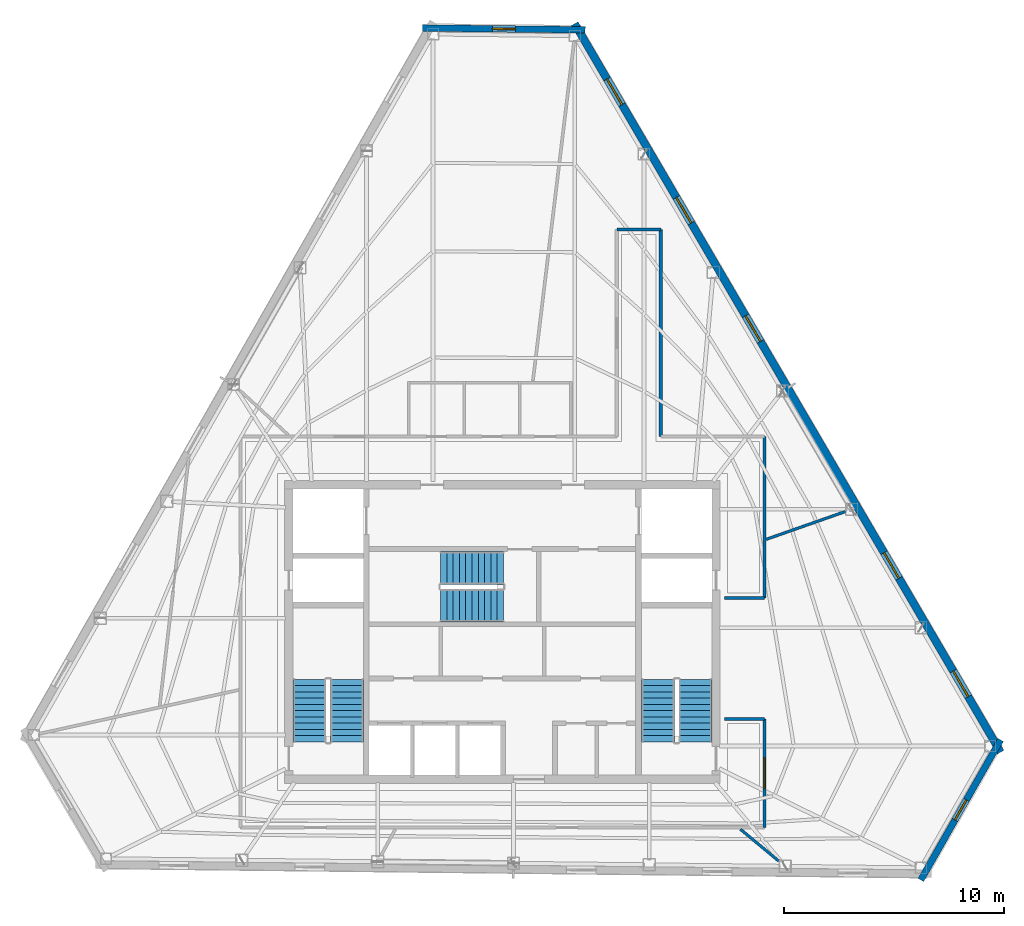
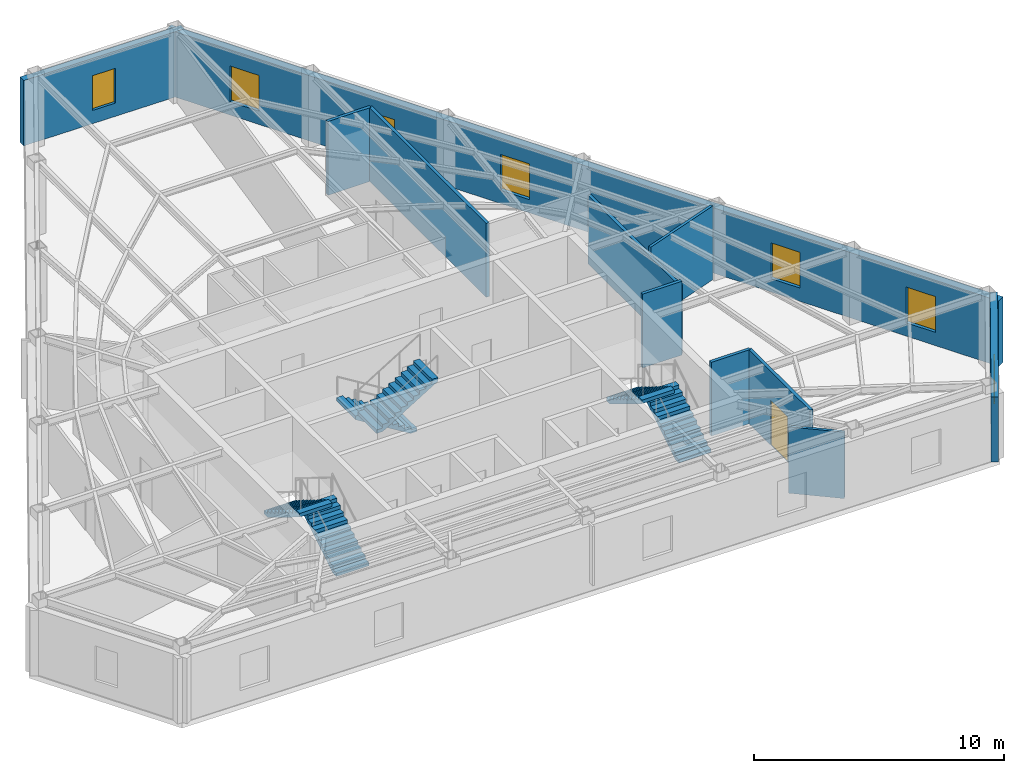
# One storey, part 9 of 10: 11 walls, 7 windows, 6 stair flights, 1 door, 8 openings, 3 elements without a shape of their own.
"""IFC4 building model written with IfcOpenShell, lengths in metres."""

import ifcopenshell
import ifcopenshell.guid

model = None  # the IFC model being written
_history = None  # IfcOwnerHistory: only IFC2X3 demands one
_inside = {}  # id of a spatial element -> (the spatial element, [elements in it])
_under = {}  # id of a project, library or spatial element -> (it, [spatial elements below it])
_declared = {}  # id of a project -> (the project, [libraries it declares])
_typed = {}  # id of a type object -> (the type object, [elements of that type])
_made_of = {}  # id of a material, layer set ... -> (it, [elements and type objects made of it])


def new_model(schema):
    """Start an empty IFC model of exactly this schema.

    Asked for "IFC4X3", IfcOpenShell would pick the latest addendum, in which some entities
    have other attributes; the version numbers below select the first issue.
    IFC2X3 requires an IfcOwnerHistory on every rooted entity: one is made here for all.
    """
    global model, _history
    if schema == "IFC4X3":
        model = ifcopenshell.file(schema_version=(4, 3, 0, 0))
    else:
        model = ifcopenshell.file(schema=schema)
    _inside.clear()
    _under.clear()
    _declared.clear()
    _typed.clear()
    _made_of.clear()
    _history = None
    if model.schema == "IFC2X3":
        org = make("IfcOrganization", Name="unknown")
        user = make(
            "IfcPersonAndOrganization",
            ThePerson=make("IfcPerson", FamilyName="unknown"),
            TheOrganization=org,
        )
        app = make(
            "IfcApplication",
            ApplicationDeveloper=org,
            Version="unknown",
            ApplicationFullName="unknown",
            ApplicationIdentifier="unknown",
        )
        _history = make(
            "IfcOwnerHistory",
            OwningUser=user,
            OwningApplication=app,
            ChangeAction="ADDED",
            CreationDate=0,
        )
    return model


def make(cls, **values):
    """One entity of the class cls with the attributes given. An attribute that is None is left unset."""
    return model.create_entity(
        cls, **{name: value for name, value in values.items() if value is not None}
    )


def rooted(cls, **values):
    """An entity with a GlobalId (a new one), such as an element, a storey or a relation."""
    return make(cls, GlobalId=ifcopenshell.guid.new(), OwnerHistory=_history, **values)


def si_unit(unit_type, name, prefix=None):
    """IfcSIUnit, for example si_unit("LENGTHUNIT", "METRE", prefix="MILLI")."""
    return make("IfcSIUnit", UnitType=unit_type, Prefix=prefix, Name=name)


def assignment(units):
    """IfcUnitAssignment: the units of a project."""
    return None if units is None else make("IfcUnitAssignment", Units=units)


def point(xyz):
    """IfcCartesianPoint."""
    return None if xyz is None else make("IfcCartesianPoint", Coordinates=xyz)


def direction(xyz):
    """IfcDirection."""
    return None if xyz is None else make("IfcDirection", DirectionRatios=xyz)


def frame(location, z_axis=None, x_axis=None):
    """IfcAxis2Placement3D, a coordinate frame: its origin and axes. An axis left out is left unset."""
    return make(
        "IfcAxis2Placement3D",
        Location=point(location),
        Axis=direction(z_axis),
        RefDirection=direction(x_axis),
    )


def frame_2d(location, x_axis=None):
    """IfcAxis2Placement2D, a coordinate frame in the plane: its origin and x axis."""
    return make(
        "IfcAxis2Placement2D", Location=point(location), RefDirection=direction(x_axis)
    )


def origin():
    """The frame at (0, 0, 0) with its axes left unset."""
    return frame((0.0, 0.0, 0.0))


def place(relative_to, where):
    """IfcLocalPlacement: puts the frame where relative to a parent placement (None: the world)."""
    return make(
        "IfcLocalPlacement", PlacementRelTo=relative_to, RelativePlacement=where
    )


def context(
    kind, dimensions, precision=None, world=None, true_north=None, identifier=None
):
    """IfcGeometricRepresentationContext, for example the 3D "Model" context."""
    return make(
        "IfcGeometricRepresentationContext",
        ContextIdentifier=identifier,
        ContextType=kind,
        CoordinateSpaceDimension=dimensions,
        Precision=precision,
        WorldCoordinateSystem=world,
        TrueNorth=true_north,
    )


def subcontext(parent, identifier, kind, view, scale=None):
    """IfcGeometricRepresentationSubContext, for example "Body" below "Model"."""
    return make(
        "IfcGeometricRepresentationSubContext",
        ContextIdentifier=identifier,
        ContextType=kind,
        ParentContext=parent,
        TargetScale=scale,
        TargetView=view,
    )


def project(units=None, contexts=None):
    """IfcProject with its units and contexts."""
    return rooted(
        "IfcProject",
        Name="project",
        RepresentationContexts=contexts,
        UnitsInContext=assignment(units),
    )


def spatial(cls, under=None, at=None, **own):
    """A site, building, storey or space (cls), placed at a placement, below another one or the project."""
    s = rooted(cls, ObjectPlacement=at, **own)
    if under is not None:
        _under.setdefault(under.id(), (under, []))[1].append(s)
    return s


def polyline(points):
    """IfcPolyline through the points."""
    return make("IfcPolyline", Points=[point(p) for p in points])


def profile(cls, at=None, kind="AREA", **sizes):
    """A parametric profile (cls). Its sizes go by their IFC names, for example OverallWidth=200.0."""
    return make(cls, ProfileType=kind, Position=at, **sizes)


def rectangle(**sizes):
    """IfcRectangleProfileDef."""
    return profile("IfcRectangleProfileDef", **sizes)


def outline(outer, holes=None, kind="AREA"):
    """IfcArbitraryClosedProfileDef: a profile drawn as a closed curve; with holes, ...WithVoids."""
    if holes is None:
        return make("IfcArbitraryClosedProfileDef", ProfileType=kind, OuterCurve=outer)
    return make(
        "IfcArbitraryProfileDefWithVoids",
        ProfileType=kind,
        OuterCurve=outer,
        InnerCurves=holes,
    )


def extrude(swept, where, along, depth):
    """IfcExtrudedAreaSolid: the profile swept, set in the frame where, extruded along a direction by depth."""
    return make(
        "IfcExtrudedAreaSolid",
        SweptArea=swept,
        Position=where,
        ExtrudedDirection=direction(along),
        Depth=depth,
    )


def shape(context_of_items, identifier, shape_type, items):
    """IfcShapeRepresentation: the items that make up one representation, for example the "Body"."""
    return make(
        "IfcShapeRepresentation",
        ContextOfItems=context_of_items,
        RepresentationIdentifier=identifier,
        RepresentationType=shape_type,
        Items=items,
    )


def material(Name=None, Category=None):
    """IfcMaterial."""
    return make("IfcMaterial", Name=Name, Category=Category)


def layer(
    of_material, thickness, ventilated=None, Name=None, Category=None, Priority=None
):
    """IfcMaterialLayer: one layer of a wall or slab, of a material (None: an air gap)."""
    return make(
        "IfcMaterialLayer",
        Material=of_material,
        LayerThickness=thickness,
        IsVentilated=ventilated,
        Name=Name,
        Category=Category,
        Priority=Priority,
    )


def layer_set(layers, Name=None):
    """IfcMaterialLayerSet."""
    return make("IfcMaterialLayerSet", MaterialLayers=layers, LayerSetName=Name)


def made_of(thing, what):
    """Note that an element or type object is made of a material, layer set ...; save() writes the relation."""
    if what is not None:
        _made_of.setdefault(what.id(), (what, []))[1].append(thing)
    return thing


def type_object(cls, material=None, **own):
    """A type object (cls), such as IfcWallType, which elements share."""
    return made_of(rooted(cls, **own), material)


def element(
    cls,
    number,
    at=None,
    inside=None,
    cuts=None,
    type_object=None,
    material=None,
    context=None,
    identifier="Body",
    shape_type=None,
    held_by="IfcProductDefinitionShape",
    body=None,
    shapes=None,
    **own,
):
    """One element of the class cls, such as IfcWall. Its Tag is "e" and its number.

    at: its placement. inside: the storey or other place that contains it. cuts: it is an
    opening in that element (IfcRelVoidsElement). A single representation is given by context,
    identifier, shape_type and body (its items); several are given by shapes. held_by: the class
    of the entity that holds the representations. save() writes the other relations.
    """
    e = rooted(cls, Tag="e%d" % number, ObjectPlacement=at, **own)
    if body is not None:
        shapes = [shape(context, identifier, shape_type, body)]
    if shapes is not None:
        e.Representation = make(held_by, Representations=shapes)
    if inside is not None:
        _inside.setdefault(inside.id(), (inside, []))[1].append(e)
    if cuts is not None:
        rooted(
            "IfcRelVoidsElement", RelatingBuildingElement=cuts, RelatedOpeningElement=e
        )
    if type_object is not None:
        _typed.setdefault(type_object.id(), (type_object, []))[1].append(e)
    return made_of(e, material)


def fill(opening, filler):
    """IfcRelFillsElement: the door or window that sits in an opening."""
    return rooted(
        "IfcRelFillsElement",
        RelatingOpeningElement=opening,
        RelatedBuildingElement=filler,
    )


def aggregate(whole, parts):
    """IfcRelAggregates: a whole, such as a stair, and the parts it consists of."""
    return rooted("IfcRelAggregates", RelatingObject=whole, RelatedObjects=parts)


def save(model, path):
    """Write the relations noted so far, then the file.

    IfcRelAggregates (storeys below a building ...), IfcRelContainedInSpatialStructure (elements
    in a storey), IfcRelDefinesByType, IfcRelAssociatesMaterial and IfcRelDeclares: one each for
    every whole, place, type object, material and project.
    """
    for whole, parts in _under.values():
        aggregate(whole, parts)
    for where, things in _inside.values():
        rooted(
            "IfcRelContainedInSpatialStructure",
            RelatedElements=things,
            RelatingStructure=where,
        )
    for kind, things in _typed.values():
        rooted("IfcRelDefinesByType", RelatedObjects=things, RelatingType=kind)
    for what, things in _made_of.values():
        rooted("IfcRelAssociatesMaterial", RelatedObjects=things, RelatingMaterial=what)
    for by, libraries in _declared.values():
        rooted("IfcRelDeclares", RelatingContext=by, RelatedDefinitions=libraries)
    model.write(path)


model = new_model("IFC4")

# Units and contexts
model_context = context("Model", 3, precision=1e-05, world=origin(), true_north=direction((0.0, 1.0)))
body_context = subcontext(model_context, "Body", "Model", "MODEL_VIEW")
ifc_project = project(units=[si_unit("LENGTHUNIT", "METRE"), si_unit("AREAUNIT", "SQUARE_METRE"), si_unit("VOLUMEUNIT", "CUBIC_METRE"), si_unit("PLANEANGLEUNIT", "RADIAN"), si_unit("MASSUNIT", "GRAM", prefix="KILO")], contexts=[model_context])

# Site, building, storey
site_placement = place(None, origin())
site = spatial("IfcSite", under=ifc_project, at=site_placement, CompositionType="ELEMENT")
building_placement = place(site_placement, origin())
building = spatial("IfcBuilding", under=site, at=building_placement, Name="Kavelnor Concourse Tower", CompositionType="ELEMENT")
storey_placement = place(building_placement, frame((0.0, 0.0, 254.89990234375)))
storey = spatial("IfcBuildingStorey", under=building, at=storey_placement, Name="L64", CompositionType="ELEMENT", Elevation=254.89990234375)

# Wall, opening, window
ifc_material_1 = material(Name="Buff ironspot clay face brick masonry", Category="masonry")
ifc_layer_1 = layer(ifc_material_1, 0.300048828125, Name="Buff ironspot clay face brick masonry")
ifc_layer_set_1 = layer_set([ifc_layer_1], Name="Buff ironspot clay face brick masonry")
wall_type_1 = type_object("IfcWallType", Name="WL-EXT-BUFF-BRICK-FOLD-300", PredefinedType="STANDARD", material=ifc_layer_set_1)
wall_1_placement = place(storey_placement, frame((34.367431640625, 43.563720703125, 0.0), z_axis=(0.0, 0.0, 1.0), x_axis=(0.999937028375, -0.011222267359, 0.0)))
wall_1 = element("IfcWall", 1, at=wall_1_placement, inside=storey, type_object=wall_type_1, Name="L64 Exterior Brick Facade Wall E0", PredefinedType="STANDARD", context=body_context, shape_type="SweptSolid", body=[
    extrude(rectangle(XDim=7.396728515625, YDim=0.300048828125, at=frame_2d((3.6982421875, 0.0))), origin(), (0.0, 0.0, 1.0), 3.196044921875),
])
opening_1_placement = place(wall_1_placement, frame((3.17333984375, 0.0, 0.64990234375)))
opening_1 = element("IfcOpeningElement", 2, at=opening_1_placement, cuts=wall_1, Name="Opening W-06", PredefinedType="OPENING", context=body_context, shape_type="SweptSolid", body=[
    extrude(rectangle(XDim=1.050048828125, YDim=1.699951171875, at=frame_2d((0.52490234375, 0.85009765625))), frame((0.0, 0.16015625, 0.0), z_axis=(0.0, -1.0, 0.0), x_axis=(1.0, 0.0, 0.0)), (0.0, 0.0, 1.0), 0.320068359375),
])
ifc_material_2 = material(Name="Double low-E argon insulated glazing", Category="glass")
window_type_1 = type_object("IfcWindowType", Name="WIN-FOLD-1050", PartitioningType="SINGLE_PANEL", PredefinedType="WINDOW", material=ifc_material_2)
window_1_placement = place(opening_1_placement, origin())
window_1 = element("IfcWindow", 3, at=window_1_placement, inside=storey, type_object=window_type_1, Name="L64 Chamfer-Fold Facet Window C0", OverallHeight=1.699951171875, OverallWidth=1.050048828125, PartitioningType="SINGLE_PANEL", PredefinedType="WINDOW", context=body_context, shape_type="SweptSolid", body=[
    extrude(rectangle(XDim=1.050048828125, YDim=1.699951171875, at=frame_2d((0.52490234375, 0.85009765625))), frame((0.0, 0.030029296875, 0.0), z_axis=(0.0, -1.0, 0.0), x_axis=(1.0, 0.0, 0.0)), (0.0, 0.0, 1.0), 0.06005859375),
])
fill(opening_1, window_1)

wall_2_placement = place(storey_placement, frame((60.65087890625, 11.19140625, 0.0), z_axis=(0.0, 0.0, 1.0), x_axis=(-0.495112521008, -0.868828862056, 0.0)))
wall_2 = element("IfcWall", 4, at=wall_2_placement, inside=storey, type_object=wall_type_1, Name="L64 Exterior Brick Facade Wall E4", PredefinedType="STANDARD", context=body_context, shape_type="SweptSolid", body=[
    extrude(rectangle(XDim=7.328369140625, YDim=0.300048828125, at=frame_2d((3.6640625, 0.0))), origin(), (0.0, 0.0, 1.0), 3.196044921875),
])
opening_2_placement = place(wall_2_placement, frame((3.139404296875, 0.0, 0.64990234375)))
opening_2 = element("IfcOpeningElement", 5, at=opening_2_placement, cuts=wall_2, Name="Opening W-06", PredefinedType="OPENING", context=body_context, shape_type="SweptSolid", body=[
    extrude(rectangle(XDim=1.050048828125, YDim=1.699951171875, at=frame_2d((0.52490234375, 0.85009765625))), frame((0.0, 0.16015625, 0.0), z_axis=(0.0, -1.0, 0.0), x_axis=(1.0, 0.0, 0.0)), (0.0, 0.0, 1.0), 0.320068359375),
])
window_2_placement = place(opening_2_placement, origin())
window_2 = element("IfcWindow", 6, at=window_2_placement, inside=storey, type_object=window_type_1, Name="L64 Chamfer-Fold Facet Window C2", OverallHeight=1.699951171875, OverallWidth=1.050048828125, PartitioningType="SINGLE_PANEL", PredefinedType="WINDOW", context=body_context, shape_type="SweptSolid", body=[
    extrude(rectangle(XDim=1.050048828125, YDim=1.699951171875, at=frame_2d((0.52490234375, 0.85009765625))), frame((0.0, 0.030029296875, 0.0), z_axis=(0.0, -1.0, 0.0), x_axis=(1.0, 0.0, 0.0)), (0.0, 0.0, 1.0), 0.06005859375),
])
fill(opening_2, window_2)

# Wall, openings, windows
ifc_material_3 = material(Name="Red-ochre clay face brick masonry", Category="masonry")
ifc_layer_2 = layer(ifc_material_3, 0.35009765625, Name="Red-ochre clay face brick masonry")
ifc_layer_set_2 = layer_set([ifc_layer_2], Name="Red-ochre clay face brick masonry")
wall_type_2 = type_object("IfcWallType", Name="WL-EXT-RED-BRICK-PIER-350", PredefinedType="STANDARD", material=ifc_layer_set_2)
wall_3_placement = place(storey_placement, frame((41.28369140625, 43.759521484375, 0.0), z_axis=(0.0, 0.0, 1.0), x_axis=(0.50479404613, -0.863239810824, 0.0)))
wall_3 = element("IfcWall", 7, at=wall_3_placement, inside=storey, type_object=wall_type_2, Name="L64 Exterior Brick Facade Wall E5", PredefinedType="STANDARD", context=body_context, shape_type="SweptSolid", body=[
    extrude(rectangle(XDim=38.372314453125, YDim=0.35009765625, at=frame_2d((19.18603515625, 0.0))), origin(), (0.0, 0.0, 1.0), 3.196044921875),
])
opening_3_placement = place(wall_3_placement, frame((34.1015625, 0.0, 0.64990234375)))
opening_3 = element("IfcOpeningElement", 8, at=opening_3_placement, cuts=wall_3, Name="Opening W-04", PredefinedType="OPENING", context=body_context, shape_type="SweptSolid", body=[
    extrude(rectangle(XDim=1.35009765625, YDim=1.75, at=frame_2d((0.675048828125, 0.875))), frame((0.0, 0.18505859375, 0.0), z_axis=(0.0, -1.0, 0.0), x_axis=(1.0, 0.0, 0.0)), (0.0, 0.0, 1.0), 0.3701171875),
])
opening_4_placement = place(wall_3_placement, frame((27.8642578125, 0.0, 0.64990234375)))
opening_4 = element("IfcOpeningElement", 9, at=opening_4_placement, cuts=wall_3, Name="Opening W-04", PredefinedType="OPENING", context=body_context, shape_type="SweptSolid", body=[
    extrude(rectangle(XDim=1.35009765625, YDim=1.75, at=frame_2d((0.675048828125, 0.875))), frame((0.0, 0.18505859375, 0.0), z_axis=(0.0, -1.0, 0.0), x_axis=(1.0, 0.0, 0.0)), (0.0, 0.0, 1.0), 0.3701171875),
])
opening_5_placement = place(wall_3_placement, frame((15.389892578125, 0.0, 0.64990234375)))
opening_5 = element("IfcOpeningElement", 10, at=opening_5_placement, cuts=wall_3, Name="Opening W-04", PredefinedType="OPENING", context=body_context, shape_type="SweptSolid", body=[
    extrude(rectangle(XDim=1.35009765625, YDim=1.75, at=frame_2d((0.675048828125, 0.875))), frame((0.0, 0.18505859375, 0.0), z_axis=(0.0, -1.0, 0.0), x_axis=(1.0, 0.0, 0.0)), (0.0, 0.0, 1.0), 0.3701171875),
])
opening_6_placement = place(wall_3_placement, frame((9.152587890625, 0.0, 0.64990234375)))
opening_6 = element("IfcOpeningElement", 11, at=opening_6_placement, cuts=wall_3, Name="Opening W-04", PredefinedType="OPENING", context=body_context, shape_type="SweptSolid", body=[
    extrude(rectangle(XDim=1.35009765625, YDim=1.75, at=frame_2d((0.675048828125, 0.875))), frame((0.0, 0.18505859375, 0.0), z_axis=(0.0, -1.0, 0.0), x_axis=(1.0, 0.0, 0.0)), (0.0, 0.0, 1.0), 0.3701171875),
])
opening_7_placement = place(wall_3_placement, frame((2.915283203125, 0.0, 0.64990234375)))
opening_7 = element("IfcOpeningElement", 12, at=opening_7_placement, cuts=wall_3, Name="Opening W-04", PredefinedType="OPENING", context=body_context, shape_type="SweptSolid", body=[
    extrude(rectangle(XDim=1.35009765625, YDim=1.75, at=frame_2d((0.675048828125, 0.875))), frame((0.0, 0.18505859375, 0.0), z_axis=(0.0, -1.0, 0.0), x_axis=(1.0, 0.0, 0.0)), (0.0, 0.0, 1.0), 0.3701171875),
])
window_type_2 = type_object("IfcWindowType", Name="WIN-PIER-Z4-1350", PartitioningType="SINGLE_PANEL", PredefinedType="WINDOW", material=ifc_material_2)
window_3_placement = place(opening_3_placement, origin())
window_3 = element("IfcWindow", 13, at=window_3_placement, inside=storey, type_object=window_type_2, Name="L64 Deep-Set Brick Pier Window F2-B0", OverallHeight=1.75, OverallWidth=1.35009765625, PartitioningType="SINGLE_PANEL", PredefinedType="WINDOW", context=body_context, shape_type="SweptSolid", body=[
    extrude(rectangle(XDim=1.35009765625, YDim=1.75, at=frame_2d((0.675048828125, 0.875))), frame((0.0, 0.030029296875, 0.0), z_axis=(0.0, -1.0, 0.0), x_axis=(1.0, 0.0, 0.0)), (0.0, 0.0, 1.0), 0.06005859375),
])
fill(opening_3, window_3)
window_4_placement = place(opening_4_placement, origin())
window_4 = element("IfcWindow", 14, at=window_4_placement, inside=storey, type_object=window_type_2, Name="L64 Deep-Set Brick Pier Window F2-B1", OverallHeight=1.75, OverallWidth=1.35009765625, PartitioningType="SINGLE_PANEL", PredefinedType="WINDOW", context=body_context, shape_type="SweptSolid", body=[
    extrude(rectangle(XDim=1.35009765625, YDim=1.75, at=frame_2d((0.675048828125, 0.875))), frame((0.0, 0.030029296875, 0.0), z_axis=(0.0, -1.0, 0.0), x_axis=(1.0, 0.0, 0.0)), (0.0, 0.0, 1.0), 0.06005859375),
])
fill(opening_4, window_4)
window_5_placement = place(opening_5_placement, origin())
window_5 = element("IfcWindow", 15, at=window_5_placement, inside=storey, type_object=window_type_2, Name="L64 Deep-Set Brick Pier Window F2-B3", OverallHeight=1.75, OverallWidth=1.35009765625, PartitioningType="SINGLE_PANEL", PredefinedType="WINDOW", context=body_context, shape_type="SweptSolid", body=[
    extrude(rectangle(XDim=1.35009765625, YDim=1.75, at=frame_2d((0.675048828125, 0.875))), frame((0.0, 0.030029296875, 0.0), z_axis=(0.0, -1.0, 0.0), x_axis=(1.0, 0.0, 0.0)), (0.0, 0.0, 1.0), 0.06005859375),
])
fill(opening_5, window_5)
window_6_placement = place(opening_6_placement, origin())
window_6 = element("IfcWindow", 16, at=window_6_placement, inside=storey, type_object=window_type_2, Name="L64 Deep-Set Brick Pier Window F2-B4", OverallHeight=1.75, OverallWidth=1.35009765625, PartitioningType="SINGLE_PANEL", PredefinedType="WINDOW", context=body_context, shape_type="SweptSolid", body=[
    extrude(rectangle(XDim=1.35009765625, YDim=1.75, at=frame_2d((0.675048828125, 0.875))), frame((0.0, 0.030029296875, 0.0), z_axis=(0.0, -1.0, 0.0), x_axis=(1.0, 0.0, 0.0)), (0.0, 0.0, 1.0), 0.06005859375),
])
fill(opening_6, window_6)
window_7_placement = place(opening_7_placement, origin())
window_7 = element("IfcWindow", 17, at=window_7_placement, inside=storey, type_object=window_type_2, Name="L64 Deep-Set Brick Pier Window F2-B5", OverallHeight=1.75, OverallWidth=1.35009765625, PartitioningType="SINGLE_PANEL", PredefinedType="WINDOW", context=body_context, shape_type="SweptSolid", body=[
    extrude(rectangle(XDim=1.35009765625, YDim=1.75, at=frame_2d((0.675048828125, 0.875))), frame((0.0, 0.030029296875, 0.0), z_axis=(0.0, -1.0, 0.0), x_axis=(1.0, 0.0, 0.0)), (0.0, 0.0, 1.0), 0.06005859375),
])
fill(opening_7, window_7)

# Walls
ifc_material_4 = material(Name="Gypsum plasterboard on light-gauge steel studs", Category="steel")
ifc_layer_3 = layer(ifc_material_4, 0.14501953125, Name="Gypsum plasterboard on light-gauge steel studs")
ifc_layer_set_3 = layer_set([ifc_layer_3], Name="Gypsum plasterboard on light-gauge steel studs")
wall_type_3 = type_object("IfcWallType", Name="WL-INT-CORR-145", PredefinedType="PARTITIONING", material=ifc_layer_set_3)
wall_4_placement = place(storey_placement, frame((43.199951171875, 34.39990234375, 0.0), z_axis=(0.0, 0.0, 1.0), x_axis=(1.0, 0.0, 0.0)))
element("IfcWall", 18, at=wall_4_placement, inside=storey, type_object=wall_type_3, Name="L64 Corridor Wall WL-L64-CR-02", PredefinedType="PARTITIONING", context=body_context, shape_type="SweptSolid", body=[
    extrude(rectangle(XDim=2.0, YDim=0.14501953125, at=frame_2d((1.0, 0.0))), origin(), (0.0, 0.0, 1.0), 3.610107421875),
])
wall_5_placement = place(storey_placement, frame((45.199951171875, 34.39990234375, 0.0), z_axis=(0.0, 0.0, 1.0), x_axis=(0.0, -1.0, 0.0)))
element("IfcWall", 19, at=wall_5_placement, inside=storey, type_object=wall_type_3, Name="L64 Corridor Wall WL-L64-CR-03", PredefinedType="PARTITIONING", context=body_context, shape_type="SweptSolid", body=[
    extrude(rectangle(XDim=9.409912109375, YDim=0.14501953125, at=frame_2d((4.705078125, 0.0))), origin(), (0.0, 0.0, 1.0), 3.610107421875),
])
wall_6_placement = place(storey_placement, frame((49.909912109375, 24.989990234375, 0.0), z_axis=(0.0, 0.0, 1.0), x_axis=(0.0, -1.0, 0.0)))
element("IfcWall", 20, at=wall_6_placement, inside=storey, type_object=wall_type_3, Name="L64 Corridor Wall WL-L64-CR-05", PredefinedType="PARTITIONING", context=body_context, shape_type="SweptSolid", body=[
    extrude(rectangle(XDim=7.340087890625, YDim=0.14501953125, at=frame_2d((3.669921875, 0.0))), origin(), (0.0, 0.0, 1.0), 3.34912109375),
])
for number, where, z_axis, x_axis, name in (
    (21, (49.909912109375, 17.64990234375, 0.0), (0.0, 0.0, 1.0), (-1.0, 0.0, 0.0), "L64 Corridor Wall WL-L64-CR-06"),
    (22, (48.090087890625, 12.14990234375, 0.0), (0.0, 0.0, 1.0), (1.0, 0.0, 0.0), "L64 Corridor Wall WL-L64-CR-07"),
):
    element("IfcWall", number, at=place(storey_placement, frame(where, z_axis=z_axis, x_axis=x_axis)), inside=storey, type_object=wall_type_3, Name=name, PredefinedType="PARTITIONING", context=body_context, shape_type="SweptSolid", body=[
        extrude(rectangle(XDim=1.81982421875, YDim=0.14501953125, at=frame_2d((0.909912109375, 0.0))), origin(), (0.0, 0.0, 1.0), 3.610107421875),
    ])

# Wall, opening, door
wall_7_placement = place(storey_placement, frame((49.909912109375, 12.14990234375, 0.0), z_axis=(0.0, 0.0, 1.0), x_axis=(0.0, -1.0, 0.0)))
wall_7 = element("IfcWall", 23, at=wall_7_placement, inside=storey, type_object=wall_type_3, Name="L64 Corridor Wall WL-L64-CR-08", PredefinedType="PARTITIONING", context=body_context, shape_type="SweptSolid", body=[
    extrude(rectangle(XDim=4.93994140625, YDim=0.14501953125, at=frame_2d((2.469970703125, 0.0))), origin(), (0.0, 0.0, 1.0), 3.610107421875),
])
opening_8_placement = place(wall_7_placement, frame((1.77001953125, 0.0, 0.0)))
opening_8 = element("IfcOpeningElement", 24, at=opening_8_placement, cuts=wall_7, Name="Opening SD-140", PredefinedType="OPENING", context=body_context, shape_type="SweptSolid", body=[
    extrude(rectangle(XDim=1.39990234375, YDim=2.199951171875, at=frame_2d((0.699951171875, 1.10009765625))), frame((0.0, 0.08251953125, 0.0), z_axis=(0.0, -1.0, 0.0), x_axis=(1.0, 0.0, 0.0)), (0.0, 0.0, 1.0), 0.1650390625),
])
ifc_material_5 = material(Name="Solid-core hardwood timber", Category="wood")
door_type = type_object("IfcDoorType", Name="DR-SUITE-ENTRY-1400", OperationType="NOTDEFINED", PredefinedType="DOOR", material=ifc_material_5)
door_placement = place(opening_8_placement, origin())
door = element("IfcDoor", 25, at=door_placement, inside=storey, type_object=door_type, Name="L64 Workplace Open Office 07 Door", OperationType="SINGLE_SWING_RIGHT", OverallHeight=2.199951171875, OverallWidth=1.39990234375, PredefinedType="DOOR", context=body_context, shape_type="SweptSolid", body=[
    extrude(rectangle(XDim=1.39990234375, YDim=2.199951171875, at=frame_2d((0.699951171875, 1.10009765625))), frame((0.0, 0.02490234375, 0.0), z_axis=(0.0, -1.0, 0.0), x_axis=(1.0, 0.0, 0.0)), (0.0, 0.0, 1.0), 0.050048828125),
])
fill(opening_8, door)

# Walls
ifc_layer_4 = layer(ifc_material_4, 0.125, Name="Gypsum plasterboard on light-gauge steel studs")
ifc_layer_set_4 = layer_set([ifc_layer_4], Name="Gypsum plasterboard on light-gauge steel studs")
wall_type_4 = type_object("IfcWallType", Name="WL-INT-SUITE-125", PredefinedType="PARTITIONING", material=ifc_layer_set_4)
wall_8_placement = place(storey_placement, frame((49.990478515625, 20.31201171875, 0.0), z_axis=(0.0, 0.0, 1.0), x_axis=(0.943507124712, 0.331352237986, 0.0)))
element("IfcWall", 26, at=wall_8_placement, inside=storey, type_object=wall_type_4, Name="L64 Radial Suite Partition 01", PredefinedType="PARTITIONING", context=body_context, shape_type="SweptSolid", body=[
    extrude(rectangle(XDim=3.8203125, YDim=0.125, at=frame_2d((1.91015625, 0.0))), origin(), (0.0, 0.0, 1.0), 3.610107421875),
])
wall_9_placement = place(storey_placement, frame((48.82080078125, 7.12939453125, 0.0), z_axis=(0.0, 0.0, 1.0), x_axis=(0.769836810093, -0.63824077418, 0.0)))
element("IfcWall", 27, at=wall_9_placement, inside=storey, type_object=wall_type_4, Name="L64 Radial Suite Partition 06", PredefinedType="PARTITIONING", context=body_context, shape_type="SweptSolid", body=[
    extrude(rectangle(XDim=2.263427734375, YDim=0.125, at=frame_2d((1.1318359375, 0.0))), origin(), (0.0, 0.0, 1.0), 3.24609375),
])

# Stair, stair flights
ifc_material_6 = material(Name="Concrete C40/50", Category="concrete")
stair_type = type_object("IfcStairType", Name="STR-CORE-1500", PredefinedType="HALF_TURN_STAIR", material=ifc_material_6)
stair_1_placement = place(storey_placement, origin())
stair_1 = element("IfcStair", 28, at=stair_1_placement, inside=storey, type_object=stair_type, Name="L64 ST1", PredefinedType="HALF_TURN_STAIR")
stair_flight_type = type_object("IfcStairFlightType", Name="STR-FLIGHT-1500", PredefinedType="STRAIGHT", material=ifc_material_6)
stair_flight_1_placement = place(storey_placement, frame((30.929931640625, 11.10009765625, 0.0), z_axis=(0.0, 0.0, 1.0), x_axis=(0.0, 1.0, 0.0)))
stair_flight_1 = element("IfcStairFlight", 29, at=stair_flight_1_placement, type_object=stair_flight_type, Name="ST1 flight 1", NumberOfRisers=11, NumberOfTreads=10, PredefinedType="STRAIGHT", RiserHeight=0.175, TreadLength=0.285, context=body_context, shape_type="SweptSolid", body=[
    extrude(outline(polyline([(0.0, 0.0), (0.0, 0.175048828125), (0.284912109375, 0.175048828125), (0.284912109375, 0.35009765625), (0.570068359375, 0.35009765625), (0.570068359375, 0.52490234375), (0.85498046875, 0.52490234375), (0.85498046875, 0.699951171875), (1.139892578125, 0.699951171875), (1.139892578125, 0.875), (1.425048828125, 0.875), (1.425048828125, 1.050048828125), (1.7099609375, 1.050048828125), (1.7099609375, 1.22509765625), (1.9951171875, 1.22509765625), (1.9951171875, 1.39990234375), (2.280029296875, 1.39990234375), (2.280029296875, 1.574951171875), (2.56494140625, 1.574951171875), (2.56494140625, 1.75), (2.85009765625, 1.75), (2.85009765625, 1.925048828125), (2.85009765625, 1.573974609375), (0.286376953125, 0.0), (0.0, 0.0)])), frame((0.0, 0.75, 0.0), z_axis=(0.0, -1.0, 0.0), x_axis=(1.0, 0.0, 0.0)), (0.0, 0.0, 1.0), 1.5),
])
stair_flight_2_placement = place(storey_placement, frame((29.22998046875, 13.949951171875, 1.925048828125), z_axis=(0.0, 0.0, 1.0), x_axis=(0.0, -1.0, 0.0)))
stair_flight_2 = element("IfcStairFlight", 30, at=stair_flight_2_placement, type_object=stair_flight_type, Name="ST1 flight 2", NumberOfRisers=11, NumberOfTreads=10, PredefinedType="STRAIGHT", RiserHeight=0.175, TreadLength=0.285, context=body_context, shape_type="SweptSolid", body=[
    extrude(outline(polyline([(0.0, 0.0), (0.0, 0.175048828125), (0.284912109375, 0.175048828125), (0.284912109375, 0.35009765625), (0.570068359375, 0.35009765625), (0.570068359375, 0.52490234375), (0.85498046875, 0.52490234375), (0.85498046875, 0.699951171875), (1.139892578125, 0.699951171875), (1.139892578125, 0.875), (1.425048828125, 0.875), (1.425048828125, 1.050048828125), (1.7099609375, 1.050048828125), (1.7099609375, 1.22509765625), (1.9951171875, 1.22509765625), (1.9951171875, 1.39990234375), (2.280029296875, 1.39990234375), (2.280029296875, 1.574951171875), (2.56494140625, 1.574951171875), (2.56494140625, 1.75), (2.85009765625, 1.75), (2.85009765625, 1.925048828125), (2.85009765625, 1.573974609375), (0.286376953125, 0.0), (0.0, 0.0)])), frame((0.0, 0.75, 0.0), z_axis=(0.0, -1.0, 0.0), x_axis=(1.0, 0.0, 0.0)), (0.0, 0.0, 1.0), 1.5),
])
aggregate(stair_1, [stair_flight_1, stair_flight_2])

stair_2_placement = place(storey_placement, origin())
stair_2 = element("IfcStair", 31, at=stair_2_placement, inside=storey, type_object=stair_type, Name="L64 ST2", PredefinedType="HALF_TURN_STAIR")
stair_flight_3_placement = place(storey_placement, frame((46.77001953125, 11.10009765625, 0.0), z_axis=(0.0, 0.0, 1.0), x_axis=(0.0, 1.0, 0.0)))
stair_flight_3 = element("IfcStairFlight", 32, at=stair_flight_3_placement, type_object=stair_flight_type, Name="ST2 flight 1", NumberOfRisers=11, NumberOfTreads=10, PredefinedType="STRAIGHT", RiserHeight=0.175, TreadLength=0.285, context=body_context, shape_type="SweptSolid", body=[
    extrude(outline(polyline([(0.0, 0.0), (0.0, 0.175048828125), (0.284912109375, 0.175048828125), (0.284912109375, 0.35009765625), (0.570068359375, 0.35009765625), (0.570068359375, 0.52490234375), (0.85498046875, 0.52490234375), (0.85498046875, 0.699951171875), (1.139892578125, 0.699951171875), (1.139892578125, 0.875), (1.425048828125, 0.875), (1.425048828125, 1.050048828125), (1.7099609375, 1.050048828125), (1.7099609375, 1.22509765625), (1.9951171875, 1.22509765625), (1.9951171875, 1.39990234375), (2.280029296875, 1.39990234375), (2.280029296875, 1.574951171875), (2.56494140625, 1.574951171875), (2.56494140625, 1.75), (2.85009765625, 1.75), (2.85009765625, 1.925048828125), (2.85009765625, 1.573974609375), (0.286376953125, 0.0), (0.0, 0.0)])), frame((0.0, 0.75, 0.0), z_axis=(0.0, -1.0, 0.0), x_axis=(1.0, 0.0, 0.0)), (0.0, 0.0, 1.0), 1.5),
])
stair_flight_4_placement = place(storey_placement, frame((45.070068359375, 13.949951171875, 1.925048828125), z_axis=(0.0, 0.0, 1.0), x_axis=(0.0, -1.0, 0.0)))
stair_flight_4 = element("IfcStairFlight", 33, at=stair_flight_4_placement, type_object=stair_flight_type, Name="ST2 flight 2", NumberOfRisers=11, NumberOfTreads=10, PredefinedType="STRAIGHT", RiserHeight=0.175, TreadLength=0.285, context=body_context, shape_type="SweptSolid", body=[
    extrude(outline(polyline([(0.0, 0.0), (0.0, 0.175048828125), (0.284912109375, 0.175048828125), (0.284912109375, 0.35009765625), (0.570068359375, 0.35009765625), (0.570068359375, 0.52490234375), (0.85498046875, 0.52490234375), (0.85498046875, 0.699951171875), (1.139892578125, 0.699951171875), (1.139892578125, 0.875), (1.425048828125, 0.875), (1.425048828125, 1.050048828125), (1.7099609375, 1.050048828125), (1.7099609375, 1.22509765625), (1.9951171875, 1.22509765625), (1.9951171875, 1.39990234375), (2.280029296875, 1.39990234375), (2.280029296875, 1.574951171875), (2.56494140625, 1.574951171875), (2.56494140625, 1.75), (2.85009765625, 1.75), (2.85009765625, 1.925048828125), (2.85009765625, 1.573974609375), (0.286376953125, 0.0), (0.0, 0.0)])), frame((0.0, 0.75, 0.0), z_axis=(0.0, -1.0, 0.0), x_axis=(1.0, 0.0, 0.0)), (0.0, 0.0, 1.0), 1.5),
])
aggregate(stair_2, [stair_flight_3, stair_flight_4])

stair_3_placement = place(storey_placement, origin())
stair_3 = element("IfcStair", 34, at=stair_3_placement, inside=storey, type_object=stair_type, Name="L64 ST3", PredefinedType="HALF_TURN_STAIR")
stair_flight_5_placement = place(storey_placement, frame((38.0400390625, 19.010009765625, 0.0), z_axis=(0.0, 0.0, 1.0), x_axis=(-1.0, 0.0, 0.0)))
stair_flight_5 = element("IfcStairFlight", 35, at=stair_flight_5_placement, type_object=stair_flight_type, Name="ST3 flight 1", NumberOfRisers=11, NumberOfTreads=10, PredefinedType="STRAIGHT", RiserHeight=0.175, TreadLength=0.285, context=body_context, shape_type="SweptSolid", body=[
    extrude(outline(polyline([(0.0, 0.0), (0.0, 0.175048828125), (0.284912109375, 0.175048828125), (0.284912109375, 0.35009765625), (0.570068359375, 0.35009765625), (0.570068359375, 0.52490234375), (0.85498046875, 0.52490234375), (0.85498046875, 0.699951171875), (1.139892578125, 0.699951171875), (1.139892578125, 0.875), (1.425048828125, 0.875), (1.425048828125, 1.050048828125), (1.7099609375, 1.050048828125), (1.7099609375, 1.22509765625), (1.9951171875, 1.22509765625), (1.9951171875, 1.39990234375), (2.280029296875, 1.39990234375), (2.280029296875, 1.574951171875), (2.56494140625, 1.574951171875), (2.56494140625, 1.75), (2.85009765625, 1.75), (2.85009765625, 1.925048828125), (2.85009765625, 1.573974609375), (0.286376953125, 0.0), (0.0, 0.0)])), frame((0.0, 0.75, 0.0), z_axis=(0.0, -1.0, 0.0), x_axis=(1.0, 0.0, 0.0)), (0.0, 0.0, 1.0), 1.5),
])
stair_flight_6_placement = place(storey_placement, frame((35.18994140625, 17.31005859375, 1.925048828125), z_axis=(0.0, 0.0, 1.0), x_axis=(1.0, 0.0, 0.0)))
stair_flight_6 = element("IfcStairFlight", 36, at=stair_flight_6_placement, type_object=stair_flight_type, Name="ST3 flight 2", NumberOfRisers=11, NumberOfTreads=10, PredefinedType="STRAIGHT", RiserHeight=0.175, TreadLength=0.285, context=body_context, shape_type="SweptSolid", body=[
    extrude(outline(polyline([(0.0, 0.0), (0.0, 0.175048828125), (0.284912109375, 0.175048828125), (0.284912109375, 0.35009765625), (0.570068359375, 0.35009765625), (0.570068359375, 0.52490234375), (0.85498046875, 0.52490234375), (0.85498046875, 0.699951171875), (1.139892578125, 0.699951171875), (1.139892578125, 0.875), (1.425048828125, 0.875), (1.425048828125, 1.050048828125), (1.7099609375, 1.050048828125), (1.7099609375, 1.22509765625), (1.9951171875, 1.22509765625), (1.9951171875, 1.39990234375), (2.280029296875, 1.39990234375), (2.280029296875, 1.574951171875), (2.56494140625, 1.574951171875), (2.56494140625, 1.75), (2.85009765625, 1.75), (2.85009765625, 1.925048828125), (2.85009765625, 1.573974609375), (0.286376953125, 0.0), (0.0, 0.0)])), frame((0.0, 0.75, 0.0), z_axis=(0.0, -1.0, 0.0), x_axis=(1.0, 0.0, 0.0)), (0.0, 0.0, 1.0), 1.5),
])
aggregate(stair_3, [stair_flight_5, stair_flight_6])

save(model, "model.ifc")
